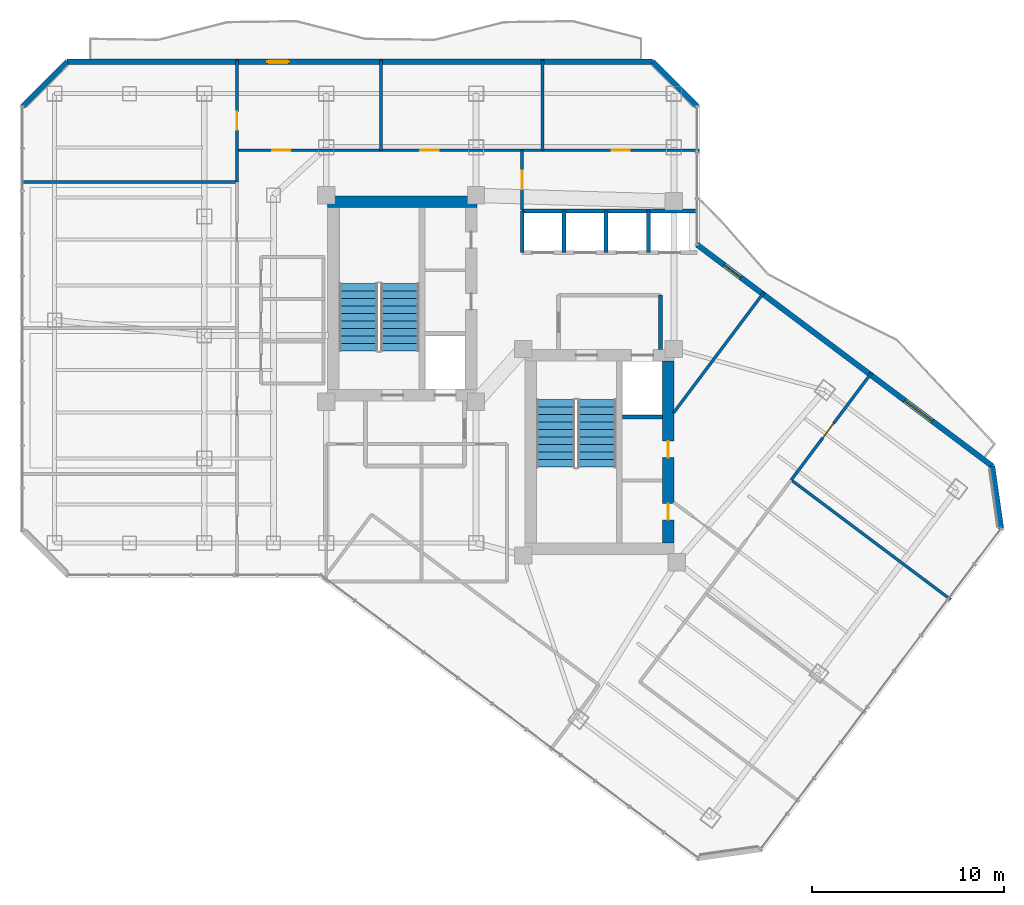
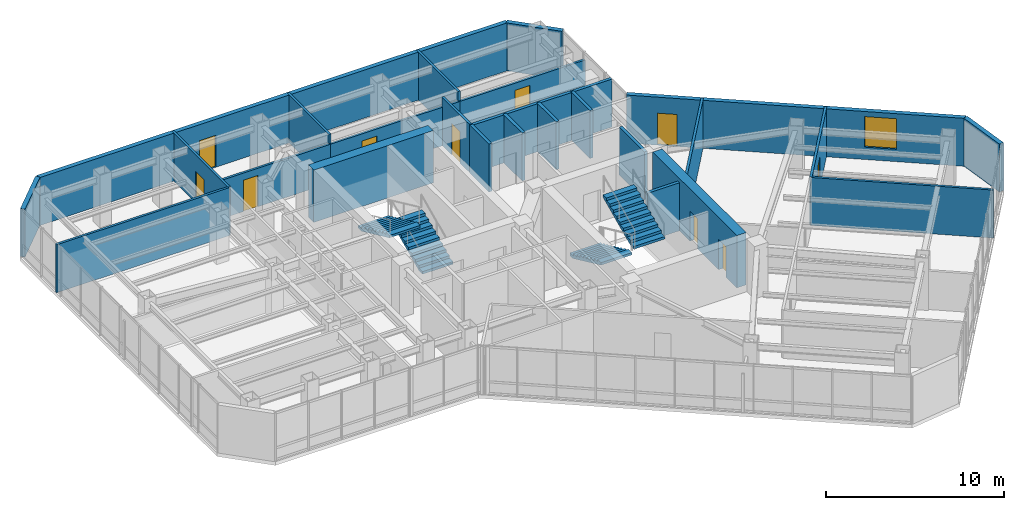
# One storey, part 26 of 29: 25 walls, 10 doors, 4 stair flights, 1 window, 11 openings, 2 elements without a shape of their own.
"""IFC4 building model written with IfcOpenShell, lengths in metres."""

from ifc_helpers import new_model, si_unit, direction, frame, frame_2d, origin, place, context, subcontext, project, spatial, polyline, rectangle, outline, extrude, material, layer, layer_set, type_object, element, fill, aggregate, save


model = new_model("IFC4")

# Units and contexts
model_context = context("Model", 3, precision=1e-05, world=origin(), true_north=direction((0.0, 1.0)))
body_context = subcontext(model_context, "Body", "Model", "MODEL_VIEW")
ifc_project = project(units=[si_unit("LENGTHUNIT", "METRE"), si_unit("AREAUNIT", "SQUARE_METRE"), si_unit("VOLUMEUNIT", "CUBIC_METRE"), si_unit("PLANEANGLEUNIT", "RADIAN"), si_unit("MASSUNIT", "GRAM", prefix="KILO")], contexts=[model_context])

# Site, building, storey
site_placement = place(None, origin())
site = spatial("IfcSite", under=ifc_project, at=site_placement, CompositionType="ELEMENT")
building_placement = place(site_placement, origin())
building = spatial("IfcBuilding", under=site, at=building_placement, Name="Hatsunagi Terrace Concourse", CompositionType="ELEMENT")
storey_placement = place(building_placement, frame((0.0, 0.0, 178.050048828125)))
storey = spatial("IfcBuildingStorey", under=building, at=storey_placement, Name="L47", CompositionType="ELEMENT", Elevation=178.050048828125)

# Wall
ifc_material_1 = material(Name="Concrete Fc48", Category="concrete")
ifc_layer_1 = layer(ifc_material_1, 0.60009765625)
ifc_layer_set_1 = layer_set([ifc_layer_1], Name="CoreShearWall_Fc48_600")
wall_type_1 = type_object("IfcWallType", Name="CoreShearWall_Fc48_600", PredefinedType="SHEAR", material=ifc_layer_set_1)
wall_1_placement = place(storey_placement, frame((25.6201171875, 42.969970703125, 0.0), z_axis=(0.0, 0.0, 1.0), x_axis=(1.0, 0.0, 0.0)))
element("IfcWall", 1, at=wall_1_placement, inside=storey, type_object=wall_type_1, Name="Core A Shear Wall N L47", PredefinedType="SHEAR", context=body_context, shape_type="SweptSolid", body=[
    extrude(rectangle(XDim=7.77978515625, YDim=0.60009765625, at=frame_2d((3.889892578125, 0.0))), origin(), (0.0, 0.0, 1.0), 3.599853515625),
])

# Wall, openings, doors
wall_2_placement = place(storey_placement, frame((43.35009765625, 25.18994140625, 0.0), z_axis=(0.0, 0.0, 1.0), x_axis=(0.0, 1.0, 0.0)))
wall_2 = element("IfcWall", 2, at=wall_2_placement, inside=storey, type_object=wall_type_1, Name="Core B Shear Wall E L47", PredefinedType="SHEAR", context=body_context, shape_type="SweptSolid", body=[
    extrude(rectangle(XDim=9.47998046875, YDim=0.60009765625, at=frame_2d((4.739990234375, 0.0))), origin(), (0.0, 0.0, 1.0), 3.599853515625),
])
opening_1_placement = place(wall_2_placement, frame((1.2099609375, 0.0, 0.0)))
opening_1 = element("IfcOpeningElement", 3, at=opening_1_placement, cuts=wall_2, Name="Opening DR-085", PredefinedType="OPENING", context=body_context, shape_type="SweptSolid", body=[
    extrude(rectangle(XDim=0.85009765625, YDim=2.080078125, at=frame_2d((0.425048828125, 1.0400390625))), frame((0.0, 0.31005859375, 0.0), z_axis=(0.0, -1.0, 0.0), x_axis=(1.0, 0.0, 0.0)), (0.0, 0.0, 1.0), 0.6201171875),
])
opening_2_placement = place(wall_2_placement, frame((4.4599609375, 0.0, 0.0)))
opening_2 = element("IfcOpeningElement", 4, at=opening_2_placement, cuts=wall_2, Name="Opening DR-085", PredefinedType="OPENING", context=body_context, shape_type="SweptSolid", body=[
    extrude(rectangle(XDim=0.85009765625, YDim=2.080078125, at=frame_2d((0.425048828125, 1.0400390625))), frame((0.0, 0.31005859375, 0.0), z_axis=(0.0, -1.0, 0.0), x_axis=(1.0, 0.0, 0.0)), (0.0, 0.0, 1.0), 0.6201171875),
])
ifc_material_2 = material(Name="Painted steel", Category="steel")
door_type_1 = type_object("IfcDoorType", Name="RiserAccessDoor_EI60_850", OperationType="NOTDEFINED", PredefinedType="DOOR", material=ifc_material_2)
door_1_placement = place(opening_1_placement, origin())
door_1 = element("IfcDoor", 5, at=door_1_placement, inside=storey, type_object=door_type_1, Name="Core B Riser Door L47-1", OperationType="SINGLE_SWING_RIGHT", OverallHeight=2.080078125, OverallWidth=0.85009765625, PredefinedType="DOOR", context=body_context, shape_type="SweptSolid", body=[
    extrude(rectangle(XDim=0.85009765625, YDim=2.080078125, at=frame_2d((0.425048828125, 1.0400390625))), frame((0.0, 0.02490234375, 0.0), z_axis=(0.0, -1.0, 0.0), x_axis=(1.0, 0.0, 0.0)), (0.0, 0.0, 1.0), 0.050048828125),
])
fill(opening_1, door_1)
door_2_placement = place(opening_2_placement, origin())
door_2 = element("IfcDoor", 6, at=door_2_placement, inside=storey, type_object=door_type_1, Name="Core B Riser Door L47-2", OperationType="SINGLE_SWING_RIGHT", OverallHeight=2.080078125, OverallWidth=0.85009765625, PredefinedType="DOOR", context=body_context, shape_type="SweptSolid", body=[
    extrude(rectangle(XDim=0.85009765625, YDim=2.080078125, at=frame_2d((0.425048828125, 1.0400390625))), frame((0.0, 0.02490234375, 0.0), z_axis=(0.0, -1.0, 0.0), x_axis=(1.0, 0.0, 0.0)), (0.0, 0.0, 1.0), 0.050048828125),
])
fill(opening_2, door_2)

# Wall
ifc_material_3 = material(Name="Acoustic mineral board", Category="gypsum")
ifc_layer_2 = layer(ifc_material_3, 0.14990234375)
ifc_layer_set_2 = layer_set([ifc_layer_2], Name="PartitionWall_EI60_150")
wall_type_2 = type_object("IfcWallType", Name="PartitionWall_EI60_150", PredefinedType="PARTITIONING", material=ifc_layer_set_2)
wall_3_placement = place(storey_placement, frame((9.639892578125, 44.0, 0.0), z_axis=(0.0, 0.0, 1.0), x_axis=(1.0, 0.0, 0.0)))
element("IfcWall", 7, at=wall_3_placement, inside=storey, type_object=wall_type_2, Name="Interior Partition IW-L47-036", PredefinedType="PARTITIONING", context=body_context, shape_type="SweptSolid", body=[
    extrude(rectangle(XDim=11.260009765625, YDim=0.14990234375, at=frame_2d((5.6298828125, 0.0))), origin(), (0.0, 0.0, 1.0), 3.300048828125),
])

# Wall, opening, door
wall_4_placement = place(storey_placement, frame((20.89990234375, 44.0, 0.0), z_axis=(0.0, 0.0, 1.0), x_axis=(0.0, 1.0, 0.0)))
wall_4 = element("IfcWall", 8, at=wall_4_placement, inside=storey, type_object=wall_type_2, Name="Interior Partition IW-L47-038", PredefinedType="PARTITIONING", context=body_context, shape_type="SweptSolid", body=[
    extrude(rectangle(XDim=6.360107421875, YDim=0.14990234375, at=frame_2d((3.18017578125, 0.0))), origin(), (0.0, 0.0, 1.0), 3.300048828125),
])
opening_3_placement = place(wall_4_placement, frame((2.705078125, 0.0, 0.0)))
opening_3 = element("IfcOpeningElement", 9, at=opening_3_placement, cuts=wall_4, Name="Opening DR-095", PredefinedType="OPENING", context=body_context, shape_type="SweptSolid", body=[
    extrude(rectangle(XDim=0.949951171875, YDim=2.14990234375, at=frame_2d((0.47509765625, 1.074951171875))), frame((0.0, 0.0849609375, 0.0), z_axis=(0.0, -1.0, 0.0), x_axis=(1.0, 0.0, 0.0)), (0.0, 0.0, 1.0), 0.169921875),
])
ifc_material_4 = material(Name="Hardwood timber", Category="wood")
door_type_2 = type_object("IfcDoorType", Name="InteriorSuiteDoor_EI30_950", OperationType="NOTDEFINED", PredefinedType="DOOR", material=ifc_material_4)
door_3_placement = place(opening_3_placement, origin())
door_3 = element("IfcDoor", 10, at=door_3_placement, inside=storey, type_object=door_type_2, Name="Team Innovation Studio L47-OW4 Door", OperationType="SINGLE_SWING_RIGHT", OverallHeight=2.14990234375, OverallWidth=0.949951171875, PredefinedType="DOOR", context=body_context, shape_type="SweptSolid", body=[
    extrude(rectangle(XDim=0.949951171875, YDim=2.14990234375, at=frame_2d((0.47509765625, 1.074951171875))), frame((0.0, 0.02490234375, 0.0), z_axis=(0.0, -1.0, 0.0), x_axis=(1.0, 0.0, 0.0)), (0.0, 0.0, 1.0), 0.050048828125),
])
fill(opening_3, door_3)

wall_5_placement = place(storey_placement, frame((20.89990234375, 45.64990234375, 0.0), z_axis=(0.0, 0.0, 1.0), x_axis=(1.0, 0.0, 0.0)))
wall_5 = element("IfcWall", 11, at=wall_5_placement, inside=storey, type_object=wall_type_2, Name="Interior Partition IW-L47-039", PredefinedType="PARTITIONING", context=body_context, shape_type="SweptSolid", body=[
    extrude(rectangle(XDim=7.5, YDim=0.14990234375, at=frame_2d((3.75, 0.0))), origin(), (0.0, 0.0, 1.0), 2.64501953125),
])
opening_4_placement = place(wall_5_placement, frame((1.826904296875, 0.0, 0.0)))
opening_4 = element("IfcOpeningElement", 12, at=opening_4_placement, cuts=wall_5, Name="Opening DR-095", PredefinedType="OPENING", context=body_context, shape_type="SweptSolid", body=[
    extrude(rectangle(XDim=0.949951171875, YDim=2.14990234375, at=frame_2d((0.47509765625, 1.074951171875))), frame((0.0, 0.0849609375, 0.0), z_axis=(0.0, -1.0, 0.0), x_axis=(1.0, 0.0, 0.0)), (0.0, 0.0, 1.0), 0.169921875),
])
door_4_placement = place(opening_4_placement, origin())
door_4 = element("IfcDoor", 13, at=door_4_placement, inside=storey, type_object=door_type_2, Name="Boardroom L47-ON1 Door", OperationType="SINGLE_SWING_LEFT", OverallHeight=2.14990234375, OverallWidth=0.949951171875, PredefinedType="DOOR", context=body_context, shape_type="SweptSolid", body=[
    extrude(rectangle(XDim=0.949951171875, YDim=2.14990234375, at=frame_2d((0.47509765625, 1.074951171875))), frame((0.0, 0.02490234375, 0.0), z_axis=(0.0, -1.0, 0.0), x_axis=(1.0, 0.0, 0.0)), (0.0, 0.0, 1.0), 0.050048828125),
])
fill(opening_4, door_4)

# Wall
wall_6_placement = place(storey_placement, frame((28.39990234375, 45.64990234375, 0.0), z_axis=(0.0, 0.0, 1.0), x_axis=(0.0, 1.0, 0.0)))
element("IfcWall", 14, at=wall_6_placement, inside=storey, type_object=wall_type_2, Name="Interior Partition IW-L47-040", PredefinedType="PARTITIONING", context=body_context, shape_type="SweptSolid", body=[
    extrude(rectangle(XDim=4.710205078125, YDim=0.14990234375, at=frame_2d((2.35498046875, 0.0))), origin(), (0.0, 0.0, 1.0), 3.300048828125),
])

# Wall, opening, door
wall_7_placement = place(storey_placement, frame((28.39990234375, 45.64990234375, 0.0), z_axis=(0.0, 0.0, 1.0), x_axis=(1.0, 0.0, 0.0)))
wall_7 = element("IfcWall", 15, at=wall_7_placement, inside=storey, type_object=wall_type_2, Name="Interior Partition IW-L47-041", PredefinedType="PARTITIONING", context=body_context, shape_type="SweptSolid", body=[
    extrude(rectangle(XDim=8.400146484375, YDim=0.14990234375, at=frame_2d((4.2001953125, 0.0))), origin(), (0.0, 0.0, 1.0), 2.64501953125),
])
opening_5_placement = place(wall_7_placement, frame((2.052001953125, 0.0, 0.0)))
opening_5 = element("IfcOpeningElement", 16, at=opening_5_placement, cuts=wall_7, Name="Opening DR-095", PredefinedType="OPENING", context=body_context, shape_type="SweptSolid", body=[
    extrude(rectangle(XDim=0.949951171875, YDim=2.14990234375, at=frame_2d((0.47509765625, 1.074951171875))), frame((0.0, 0.0849609375, 0.0), z_axis=(0.0, -1.0, 0.0), x_axis=(1.0, 0.0, 0.0)), (0.0, 0.0, 1.0), 0.169921875),
])
door_5_placement = place(opening_5_placement, origin())
door_5 = element("IfcDoor", 17, at=door_5_placement, inside=storey, type_object=door_type_2, Name="Collaboration Lounge L47-ON2 Door", OperationType="SINGLE_SWING_RIGHT", OverallHeight=2.14990234375, OverallWidth=0.949951171875, PredefinedType="DOOR", context=body_context, shape_type="SweptSolid", body=[
    extrude(rectangle(XDim=0.949951171875, YDim=2.14990234375, at=frame_2d((0.47509765625, 1.074951171875))), frame((0.0, 0.02490234375, 0.0), z_axis=(0.0, -1.0, 0.0), x_axis=(1.0, 0.0, 0.0)), (0.0, 0.0, 1.0), 0.050048828125),
])
fill(opening_5, door_5)

# Wall
wall_8_placement = place(storey_placement, frame((36.800048828125, 45.64990234375, 0.0), z_axis=(0.0, 0.0, 1.0), x_axis=(0.0, 1.0, 0.0)))
element("IfcWall", 18, at=wall_8_placement, inside=storey, type_object=wall_type_2, Name="Interior Partition IW-L47-042", PredefinedType="PARTITIONING", context=body_context, shape_type="SweptSolid", body=[
    extrude(rectangle(XDim=4.710205078125, YDim=0.14990234375, at=frame_2d((2.35498046875, 0.0))), origin(), (0.0, 0.0, 1.0), 3.300048828125),
])

# Wall, opening, door
wall_9_placement = place(storey_placement, frame((36.800048828125, 45.64990234375, 0.0), z_axis=(0.0, 0.0, 1.0), x_axis=(1.0, 0.0, 0.0)))
wall_9 = element("IfcWall", 19, at=wall_9_placement, inside=storey, type_object=wall_type_2, Name="Interior Partition IW-L47-043", PredefinedType="PARTITIONING", context=body_context, shape_type="SweptSolid", body=[
    extrude(rectangle(XDim=8.159912109375, YDim=0.14990234375, at=frame_2d((4.080078125, 0.0))), origin(), (0.0, 0.0, 1.0), 2.64501953125),
])
opening_6_placement = place(wall_9_placement, frame((3.60498046875, 0.0, 0.0)))
opening_6 = element("IfcOpeningElement", 20, at=opening_6_placement, cuts=wall_9, Name="Opening DR-095", PredefinedType="OPENING", context=body_context, shape_type="SweptSolid", body=[
    extrude(rectangle(XDim=0.949951171875, YDim=2.14990234375, at=frame_2d((0.47509765625, 1.074951171875))), frame((0.0, 0.0849609375, 0.0), z_axis=(0.0, -1.0, 0.0), x_axis=(1.0, 0.0, 0.0)), (0.0, 0.0, 1.0), 0.169921875),
])
door_6_placement = place(opening_6_placement, origin())
door_6 = element("IfcDoor", 21, at=door_6_placement, inside=storey, type_object=door_type_2, Name="Boardroom L47-ON3 Door", OperationType="SINGLE_SWING_RIGHT", OverallHeight=2.14990234375, OverallWidth=0.949951171875, PredefinedType="DOOR", context=body_context, shape_type="SweptSolid", body=[
    extrude(rectangle(XDim=0.949951171875, YDim=2.14990234375, at=frame_2d((0.47509765625, 1.074951171875))), frame((0.0, 0.02490234375, 0.0), z_axis=(0.0, -1.0, 0.0), x_axis=(1.0, 0.0, 0.0)), (0.0, 0.0, 1.0), 0.050048828125),
])
fill(opening_6, door_6)

# Wall
wall_10_placement = place(storey_placement, frame((49.760009765625, 28.47998046875, 0.0), z_axis=(0.0, 0.0, 1.0), x_axis=(0.8, -0.6, 0.0)))
element("IfcWall", 22, at=wall_10_placement, inside=storey, type_object=wall_type_2, Name="Interior Partition IW-L47-047", PredefinedType="PARTITIONING", context=body_context, shape_type="SweptSolid", body=[
    extrude(rectangle(XDim=10.360107421875, YDim=0.14990234375, at=frame_2d((5.18017578125, 0.0))), origin(), (0.0, 0.0, 1.0), 3.300048828125),
])

# Wall, opening, door
wall_11_placement = place(storey_placement, frame((49.760009765625, 28.47998046875, 0.0), z_axis=(0.0, 0.0, 1.0), x_axis=(0.599994387644, 0.800004209236, 0.0)))
wall_11 = element("IfcWall", 23, at=wall_11_placement, inside=storey, type_object=wall_type_2, Name="Interior Partition IW-L47-049", PredefinedType="PARTITIONING", context=body_context, shape_type="SweptSolid", body=[
    extrude(rectangle(XDim=6.960205078125, YDim=0.14990234375, at=frame_2d((3.47998046875, 0.0))), origin(), (0.0, 0.0, 1.0), 3.300048828125),
])
opening_7_placement = place(wall_11_placement, frame((2.742919921875, 0.0, 0.0)))
opening_7 = element("IfcOpeningElement", 24, at=opening_7_placement, cuts=wall_11, Name="Opening DR-095", PredefinedType="OPENING", context=body_context, shape_type="SweptSolid", body=[
    extrude(rectangle(XDim=0.949951171875, YDim=2.14990234375, at=frame_2d((0.47509765625, 1.074951171875))), frame((0.0, 0.0849609375, 0.0), z_axis=(0.0, -1.0, 0.0), x_axis=(1.0, 0.0, 0.0)), (0.0, 0.0, 1.0), 0.169921875),
])
door_7_placement = place(opening_7_placement, origin())
door_7 = element("IfcDoor", 25, at=door_7_placement, inside=storey, type_object=door_type_2, Name="Research Focus Suite L47-OSE3 Door", OperationType="SINGLE_SWING_RIGHT", OverallHeight=2.14990234375, OverallWidth=0.949951171875, PredefinedType="DOOR", context=body_context, shape_type="SweptSolid", body=[
    extrude(rectangle(XDim=0.949951171875, YDim=2.14990234375, at=frame_2d((0.47509765625, 1.074951171875))), frame((0.0, 0.02490234375, 0.0), z_axis=(0.0, -1.0, 0.0), x_axis=(1.0, 0.0, 0.0)), (0.0, 0.0, 1.0), 0.050048828125),
])
fill(opening_7, door_7)

# Wall
wall_12_placement = place(storey_placement, frame((43.6298828125, 31.972900390625, 0.0), z_axis=(0.0, 0.0, 1.0), x_axis=(0.599975099311, 0.800018674911, 0.0)))
element("IfcWall", 26, at=wall_12_placement, inside=storey, type_object=wall_type_2, Name="Interior Partition IW-L47-051", PredefinedType="PARTITIONING", context=body_context, shape_type="SweptSolid", body=[
    extrude(rectangle(XDim=7.84375, YDim=0.14990234375, at=frame_2d((3.921875, 0.0))), origin(), (0.0, 0.0, 1.0), 3.300048828125),
])

# Wall, opening, door
wall_13_placement = place(storey_placement, frame((35.75, 42.550048828125, 0.0), z_axis=(0.0, 0.0, 1.0), x_axis=(0.0, 1.0, 0.0)))
wall_13 = element("IfcWall", 27, at=wall_13_placement, inside=storey, type_object=wall_type_2, Name="Interior Partition IW-L47-052", PredefinedType="PARTITIONING", context=body_context, shape_type="SweptSolid", body=[
    extrude(rectangle(XDim=3.099853515625, YDim=0.14990234375, at=frame_2d((1.5498046875, 0.0))), origin(), (0.0, 0.0, 1.0), 3.300048828125),
])
opening_8_placement = place(wall_13_placement, frame((1.074951171875, 0.0, 0.0)))
opening_8 = element("IfcOpeningElement", 28, at=opening_8_placement, cuts=wall_13, Name="Opening DR-095", PredefinedType="OPENING", context=body_context, shape_type="SweptSolid", body=[
    extrude(rectangle(XDim=0.949951171875, YDim=2.14990234375, at=frame_2d((0.47509765625, 1.074951171875))), frame((0.0, 0.0849609375, 0.0), z_axis=(0.0, -1.0, 0.0), x_axis=(1.0, 0.0, 0.0)), (0.0, 0.0, 1.0), 0.169921875),
])
door_8_placement = place(opening_8_placement, origin())
door_8 = element("IfcDoor", 29, at=door_8_placement, inside=storey, type_object=door_type_2, Name="Executive Briefing Room L47-ONEB Door", OperationType="SINGLE_SWING_RIGHT", OverallHeight=2.14990234375, OverallWidth=0.949951171875, PredefinedType="DOOR", context=body_context, shape_type="SweptSolid", body=[
    extrude(rectangle(XDim=0.949951171875, YDim=2.14990234375, at=frame_2d((0.47509765625, 1.074951171875))), frame((0.0, 0.02490234375, 0.0), z_axis=(0.0, -1.0, 0.0), x_axis=(1.0, 0.0, 0.0)), (0.0, 0.0, 1.0), 0.050048828125),
])
fill(opening_8, door_8)

# Walls
ifc_material_5 = material(Name="Acoustic mineral board", Category="gypsum")
ifc_layer_3 = layer(ifc_material_5, 0.199951171875)
ifc_layer_set_3 = layer_set([ifc_layer_3], Name="ShaftWall_EI120_200")
wall_type_3 = type_object("IfcWallType", Name="ShaftWall_EI120_200", PredefinedType="STANDARD", material=ifc_layer_set_3)
wall_14_placement = place(storey_placement, frame((40.969970703125, 31.760009765625, 0.0), z_axis=(0.0, 0.0, 1.0), x_axis=(1.0, 0.0, 0.0)))
element("IfcWall", 30, at=wall_14_placement, inside=storey, type_object=wall_type_3, Name="Interior Partition IW-L47-003", PredefinedType="STANDARD", context=body_context, shape_type="SweptSolid", body=[
    extrude(rectangle(XDim=2.080078125, YDim=0.199951171875, at=frame_2d((1.0400390625, 0.0))), origin(), (0.0, 0.0, 1.0), 3.300048828125),
])
wall_15_placement = place(storey_placement, frame((42.949951171875, 35.27001953125, 0.0), z_axis=(0.0, 0.0, 1.0), x_axis=(0.0, 1.0, 0.0)))
element("IfcWall", 31, at=wall_15_placement, inside=storey, type_object=wall_type_3, Name="Interior Partition IW-L47-009", PredefinedType="STANDARD", context=body_context, shape_type="SweptSolid", body=[
    extrude(rectangle(XDim=2.830078125, YDim=0.199951171875, at=frame_2d((1.4150390625, 0.0))), origin(), (0.0, 0.0, 1.0), 3.300048828125),
])
wall_16_placement = place(storey_placement, frame((35.75, 42.47998046875, 0.0), z_axis=(0.0, 0.0, 1.0), x_axis=(1.0, 0.0, 0.0)))
element("IfcWall", 32, at=wall_16_placement, inside=storey, type_object=wall_type_3, Name="Interior Partition IW-L47-011", PredefinedType="STANDARD", context=body_context, shape_type="SweptSolid", body=[
    extrude(rectangle(XDim=9.110107421875, YDim=0.199951171875, at=frame_2d((4.55517578125, 0.0))), origin(), (0.0, 0.0, 1.0), 3.300048828125),
])
for number, where, z_axis, x_axis, name in (
    (33, (35.75, 40.320068359375, 0.0), (0.0, 0.0, 1.0), (0.0, 1.0, 0.0), "Interior Partition IW-L47-012"),
    (34, (37.919921875, 40.320068359375, 0.0), (0.0, 0.0, 1.0), (0.0, 1.0, 0.0), "Interior Partition IW-L47-013"),
    (35, (40.1201171875, 40.320068359375, 0.0), (0.0, 0.0, 1.0), (0.0, 1.0, 0.0), "Interior Partition IW-L47-014"),
    (36, (42.320068359375, 40.320068359375, 0.0), (0.0, 0.0, 1.0), (0.0, 1.0, 0.0), "Interior Partition IW-L47-015"),
):
    element("IfcWall", number, at=place(storey_placement, frame(where, z_axis=z_axis, x_axis=x_axis)), inside=storey, type_object=wall_type_3, Name=name, PredefinedType="STANDARD", context=body_context, shape_type="SweptSolid", body=[
        extrude(rectangle(XDim=2.159912109375, YDim=0.199951171875, at=frame_2d((1.080078125, 0.0))), origin(), (0.0, 0.0, 1.0), 3.300048828125),
    ])

# Wall, openings, door, window
ifc_material_6 = material(Name="Autoclaved Lightweight Concrete and Terracotta Cladding", Category="masonry")
ifc_layer_4 = layer(ifc_material_6, 0.280029296875)
ifc_layer_set_4 = layer_set([ifc_layer_4], Name="TerracottaSpandrelWall_280")
wall_type_4 = type_object("IfcWallType", Name="TerracottaSpandrelWall_280", PredefinedType="STANDARD", material=ifc_layer_set_4)
wall_17_placement = place(storey_placement, frame((44.860107421875, 40.72998046875, 0.0), z_axis=(0.0, 0.0, 1.0), x_axis=(0.800007624502, -0.599989833863, 0.0)))
wall_17 = element("IfcWall", 37, at=wall_17_placement, inside=storey, type_object=wall_type_4, Name="Exterior Spandrel Wall EW-L47-01", PredefinedType="STANDARD", context=body_context, shape_type="SweptSolid", body=[
    extrude(rectangle(XDim=19.212158203125, YDim=0.280029296875, at=frame_2d((9.60595703125, 0.0))), origin(), (0.0, 0.0, 1.0), 3.300048828125),
])
opening_9_placement = place(wall_17_placement, frame((1.7548828125, 0.0, 0.0)))
opening_9 = element("IfcOpeningElement", 38, at=opening_9_placement, cuts=wall_17, Name="Opening BD-01", PredefinedType="OPENING", context=body_context, shape_type="SweptSolid", body=[
    extrude(rectangle(XDim=1.10009765625, YDim=2.199951171875, at=frame_2d((0.550048828125, 1.10009765625))), frame((0.0, 0.14990234375, 0.0), z_axis=(0.0, -1.0, 0.0), x_axis=(1.0, 0.0, 0.0)), (0.0, 0.0, 1.0), 0.300048828125),
])
opening_10_placement = place(wall_17_placement, frame((13.509033203125, 0.0, 0.85009765625)))
opening_10 = element("IfcOpeningElement", 39, at=opening_10_placement, cuts=wall_17, Name="Opening WIN-03", PredefinedType="OPENING", context=body_context, shape_type="SweptSolid", body=[
    extrude(rectangle(XDim=1.800048828125, YDim=2.10009765625, at=frame_2d((0.89990234375, 1.050048828125))), frame((0.0, 0.14990234375, 0.0), z_axis=(0.0, -1.0, 0.0), x_axis=(1.0, 0.0, 0.0)), (0.0, 0.0, 1.0), 0.300048828125),
])
ifc_material_7 = material(Name="Galvanised Steel and Laminated Safety Glass", Category="steel")
door_type_3 = type_object("IfcDoorType", Name="BalconyTerraceAccessDoor_1100x2200", OperationType="SINGLE_SWING_LEFT", PredefinedType="DOOR", material=ifc_material_7)
door_9_placement = place(opening_9_placement, origin())
door_9 = element("IfcDoor", 40, at=door_9_placement, inside=storey, type_object=door_type_3, Name="Engawa Balcony Door L47-BSE", OperationType="SINGLE_SWING_LEFT", OverallHeight=2.199951171875, OverallWidth=1.10009765625, PredefinedType="DOOR", context=body_context, shape_type="SweptSolid", body=[
    extrude(rectangle(XDim=1.10009765625, YDim=2.199951171875, at=frame_2d((0.550048828125, 1.10009765625))), frame((0.0, 0.02490234375, 0.0), z_axis=(0.0, -1.0, 0.0), x_axis=(1.0, 0.0, 0.0)), (0.0, 0.0, 1.0), 0.050048828125),
])
fill(opening_9, door_9)
ifc_material_8 = material(Name="Thermally Broken Aluminium and Low-E Triple Glazing", Category="aluminium")
window_type = type_object("IfcWindowType", Name="OfficeCornerFeatureWindow_1800x2100", PartitioningType="SINGLE_PANEL", PredefinedType="WINDOW", material=ifc_material_8)
window_placement = place(opening_10_placement, origin())
window = element("IfcWindow", 41, at=window_placement, inside=storey, type_object=window_type, Name="Balcony Daylighting Window L47-01-2", OverallHeight=2.10009765625, OverallWidth=1.800048828125, PartitioningType="SINGLE_PANEL", PredefinedType="WINDOW", context=body_context, shape_type="SweptSolid", body=[
    extrude(rectangle(XDim=1.800048828125, YDim=2.10009765625, at=frame_2d((0.89990234375, 1.050048828125))), frame((0.0, 0.030029296875, 0.0), z_axis=(0.0, -1.0, 0.0), x_axis=(1.0, 0.0, 0.0)), (0.0, 0.0, 1.0), 0.06005859375),
])
fill(opening_10, window)

# Walls
wall_18_placement = place(storey_placement, frame((60.22998046875, 29.202880859375, 0.0), z_axis=(0.0, 0.0, 1.0), x_axis=(0.141296221922, -0.989967361922, 0.0)))
element("IfcWall", 42, at=wall_18_placement, inside=storey, type_object=wall_type_4, Name="Exterior Spandrel Wall EW-L47-02", PredefinedType="STANDARD", context=body_context, shape_type="SweptSolid", body=[
    extrude(rectangle(XDim=3.27783203125, YDim=0.280029296875, at=frame_2d((1.638916015625, 0.0))), origin(), (0.0, 0.0, 1.0), 3.300048828125),
])
wall_19_placement = place(storey_placement, frame((9.739990234375, 47.94189453125, 0.0), z_axis=(0.0, 0.0, 1.0), x_axis=(0.707106781187, 0.707106781187, 0.0)))
element("IfcWall", 43, at=wall_19_placement, inside=storey, type_object=wall_type_4, Name="Exterior Spandrel Wall EW-L47-10", PredefinedType="STANDARD", context=body_context, shape_type="SweptSolid", body=[
    extrude(rectangle(XDim=3.2783203125, YDim=0.280029296875, at=frame_2d((1.63916015625, 0.0))), origin(), (0.0, 0.0, 1.0), 3.300048828125),
])

# Wall, opening, door
wall_20_placement = place(storey_placement, frame((12.05810546875, 50.260009765625, 0.0), z_axis=(0.0, 0.0, 1.0), x_axis=(1.0, 0.0, 0.0)))
wall_20 = element("IfcWall", 44, at=wall_20_placement, inside=storey, type_object=wall_type_4, Name="Exterior Spandrel Wall EW-L47-11", PredefinedType="STANDARD", context=body_context, shape_type="SweptSolid", body=[
    extrude(rectangle(XDim=30.48388671875, YDim=0.280029296875, at=frame_2d((15.241943359375, 0.0))), origin(), (0.0, 0.0, 1.0), 3.300048828125),
])
opening_11_placement = place(wall_20_placement, frame((10.424072265625, 0.0, 0.0)))
opening_11 = element("IfcOpeningElement", 45, at=opening_11_placement, cuts=wall_20, Name="Opening BD-01", PredefinedType="OPENING", context=body_context, shape_type="SweptSolid", body=[
    extrude(rectangle(XDim=1.10009765625, YDim=2.199951171875, at=frame_2d((0.550048828125, 1.10009765625))), frame((0.0, 0.14990234375, 0.0), z_axis=(0.0, -1.0, 0.0), x_axis=(1.0, 0.0, 0.0)), (0.0, 0.0, 1.0), 0.300048828125),
])
door_10_placement = place(opening_11_placement, origin())
door_10 = element("IfcDoor", 46, at=door_10_placement, inside=storey, type_object=door_type_3, Name="Engawa Balcony Door L47-BN", OperationType="SINGLE_SWING_RIGHT", OverallHeight=2.199951171875, OverallWidth=1.10009765625, PredefinedType="DOOR", context=body_context, shape_type="SweptSolid", body=[
    extrude(rectangle(XDim=1.10009765625, YDim=2.199951171875, at=frame_2d((0.550048828125, 1.10009765625))), frame((0.0, 0.02490234375, 0.0), z_axis=(0.0, -1.0, 0.0), x_axis=(1.0, 0.0, 0.0)), (0.0, 0.0, 1.0), 0.050048828125),
])
fill(opening_11, door_10)

# Wall
wall_21_placement = place(storey_placement, frame((42.5419921875, 50.260009765625, 0.0), z_axis=(0.0, 0.0, 1.0), x_axis=(0.707106781187, -0.707106781187, 0.0)))
element("IfcWall", 47, at=wall_21_placement, inside=storey, type_object=wall_type_4, Name="Exterior Spandrel Wall EW-L47-12", PredefinedType="STANDARD", context=body_context, shape_type="SweptSolid", body=[
    extrude(rectangle(XDim=3.2783203125, YDim=0.280029296875, at=frame_2d((1.63916015625, 0.0))), origin(), (0.0, 0.0, 1.0), 3.300048828125),
])

# Stair, stair flights
ifc_material_9 = material(Name="Concrete Fc42", Category="concrete")
stair_type = type_object("IfcStairType", Name="DoglegExitStair_Tower2000_20R_180", PredefinedType="HALF_TURN_STAIR", material=ifc_material_9)
stair_1_placement = place(storey_placement, origin())
stair_1 = element("IfcStair", 48, at=stair_1_placement, inside=storey, type_object=stair_type, Name="L47 Core A Protected Exit Stair ST-A", PredefinedType="HALF_TURN_STAIR")
ifc_material_10 = material(Name="Concrete Fc42", Category="concrete")
stair_flight_type = type_object("IfcStairFlightType", Name="DoglegStairFlight_Tower2000_20R_180", PredefinedType="STRAIGHT", material=ifc_material_10)
stair_flight_1_placement = place(storey_placement, frame((29.3798828125, 35.199951171875, 0.0), z_axis=(0.0, 0.0, 1.0), x_axis=(0.0, 1.0, 0.0)))
stair_flight_1 = element("IfcStairFlight", 49, at=stair_flight_1_placement, type_object=stair_flight_type, Name="ST-A flight 1", NumberOfRisers=10, NumberOfTreads=9, PredefinedType="STRAIGHT", RiserHeight=0.18, TreadLength=0.39, context=body_context, shape_type="SweptSolid", body=[
    extrude(outline(polyline([(0.0, 0.0), (0.0, 0.179931640625), (0.389892578125, 0.179931640625), (0.389892578125, 0.360107421875), (0.780029296875, 0.360107421875), (0.780029296875, 0.5400390625), (1.169921875, 0.5400390625), (1.169921875, 0.719970703125), (1.56005859375, 0.719970703125), (1.56005859375, 0.89990234375), (1.949951171875, 0.89990234375), (1.949951171875, 1.080078125), (2.340087890625, 1.080078125), (2.340087890625, 1.260009765625), (2.72998046875, 1.260009765625), (2.72998046875, 1.43994140625), (3.1201171875, 1.43994140625), (3.1201171875, 1.6201171875), (3.510009765625, 1.6201171875), (3.510009765625, 1.800048828125), (3.510009765625, 1.454833984375), (0.357666015625, 0.0), (0.0, 0.0)])), frame((0.0, 1.0, 0.0), z_axis=(0.0, -1.0, 0.0), x_axis=(1.0, 0.0, 0.0)), (0.0, 0.0, 1.0), 2.0),
])
stair_flight_2_placement = place(storey_placement, frame((27.22998046875, 38.7099609375, 1.800048828125), z_axis=(0.0, 0.0, 1.0), x_axis=(0.0, -1.0, 0.0)))
stair_flight_2 = element("IfcStairFlight", 50, at=stair_flight_2_placement, type_object=stair_flight_type, Name="ST-A flight 2", NumberOfRisers=10, NumberOfTreads=9, PredefinedType="STRAIGHT", RiserHeight=0.18, TreadLength=0.39, context=body_context, shape_type="SweptSolid", body=[
    extrude(outline(polyline([(0.0, 0.0), (0.0, 0.179931640625), (0.389892578125, 0.179931640625), (0.389892578125, 0.360107421875), (0.780029296875, 0.360107421875), (0.780029296875, 0.5400390625), (1.169921875, 0.5400390625), (1.169921875, 0.719970703125), (1.56005859375, 0.719970703125), (1.56005859375, 0.89990234375), (1.949951171875, 0.89990234375), (1.949951171875, 1.080078125), (2.340087890625, 1.080078125), (2.340087890625, 1.260009765625), (2.72998046875, 1.260009765625), (2.72998046875, 1.43994140625), (3.1201171875, 1.43994140625), (3.1201171875, 1.6201171875), (3.510009765625, 1.6201171875), (3.510009765625, 1.800048828125), (3.510009765625, 1.454833984375), (0.357666015625, 0.0), (0.0, 0.0)])), frame((0.0, 1.0, 0.0), z_axis=(0.0, -1.0, 0.0), x_axis=(1.0, 0.0, 0.0)), (0.0, 0.0, 1.0), 2.0),
])
aggregate(stair_1, [stair_flight_1, stair_flight_2])

stair_2_placement = place(storey_placement, origin())
stair_2 = element("IfcStair", 51, at=stair_2_placement, inside=storey, type_object=stair_type, Name="L47 Core B Protected Exit Stair ST-B", PredefinedType="HALF_TURN_STAIR")
stair_flight_3_placement = place(storey_placement, frame((37.5, 32.659912109375, 0.0), z_axis=(0.0, 0.0, 1.0), x_axis=(0.0, -1.0, 0.0)))
stair_flight_3 = element("IfcStairFlight", 52, at=stair_flight_3_placement, type_object=stair_flight_type, Name="ST-B flight 1", NumberOfRisers=10, NumberOfTreads=9, PredefinedType="STRAIGHT", RiserHeight=0.18, TreadLength=0.39, context=body_context, shape_type="SweptSolid", body=[
    extrude(outline(polyline([(0.0, 0.0), (0.0, 0.179931640625), (0.389892578125, 0.179931640625), (0.389892578125, 0.360107421875), (0.780029296875, 0.360107421875), (0.780029296875, 0.5400390625), (1.169921875, 0.5400390625), (1.169921875, 0.719970703125), (1.56005859375, 0.719970703125), (1.56005859375, 0.89990234375), (1.949951171875, 0.89990234375), (1.949951171875, 1.080078125), (2.340087890625, 1.080078125), (2.340087890625, 1.260009765625), (2.72998046875, 1.260009765625), (2.72998046875, 1.43994140625), (3.1201171875, 1.43994140625), (3.1201171875, 1.6201171875), (3.510009765625, 1.6201171875), (3.510009765625, 1.800048828125), (3.510009765625, 1.454833984375), (0.357666015625, 0.0), (0.0, 0.0)])), frame((0.0, 1.0, 0.0), z_axis=(0.0, -1.0, 0.0), x_axis=(1.0, 0.0, 0.0)), (0.0, 0.0, 1.0), 2.0),
])
stair_flight_4_placement = place(storey_placement, frame((39.64990234375, 29.14990234375, 1.800048828125), z_axis=(0.0, 0.0, 1.0), x_axis=(0.0, 1.0, 0.0)))
stair_flight_4 = element("IfcStairFlight", 53, at=stair_flight_4_placement, type_object=stair_flight_type, Name="ST-B flight 2", NumberOfRisers=10, NumberOfTreads=9, PredefinedType="STRAIGHT", RiserHeight=0.18, TreadLength=0.39, context=body_context, shape_type="SweptSolid", body=[
    extrude(outline(polyline([(0.0, 0.0), (0.0, 0.179931640625), (0.389892578125, 0.179931640625), (0.389892578125, 0.360107421875), (0.780029296875, 0.360107421875), (0.780029296875, 0.5400390625), (1.169921875, 0.5400390625), (1.169921875, 0.719970703125), (1.56005859375, 0.719970703125), (1.56005859375, 0.89990234375), (1.949951171875, 0.89990234375), (1.949951171875, 1.080078125), (2.340087890625, 1.080078125), (2.340087890625, 1.260009765625), (2.72998046875, 1.260009765625), (2.72998046875, 1.43994140625), (3.1201171875, 1.43994140625), (3.1201171875, 1.6201171875), (3.510009765625, 1.6201171875), (3.510009765625, 1.800048828125), (3.510009765625, 1.454833984375), (0.357666015625, 0.0), (0.0, 0.0)])), frame((0.0, 1.0, 0.0), z_axis=(0.0, -1.0, 0.0), x_axis=(1.0, 0.0, 0.0)), (0.0, 0.0, 1.0), 2.0),
])
aggregate(stair_2, [stair_flight_3, stair_flight_4])

save(model, "model.ifc")
